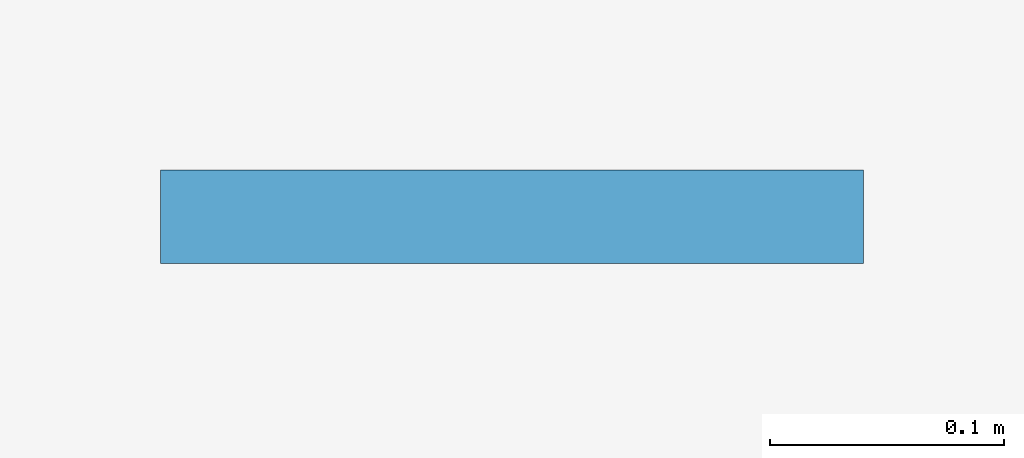
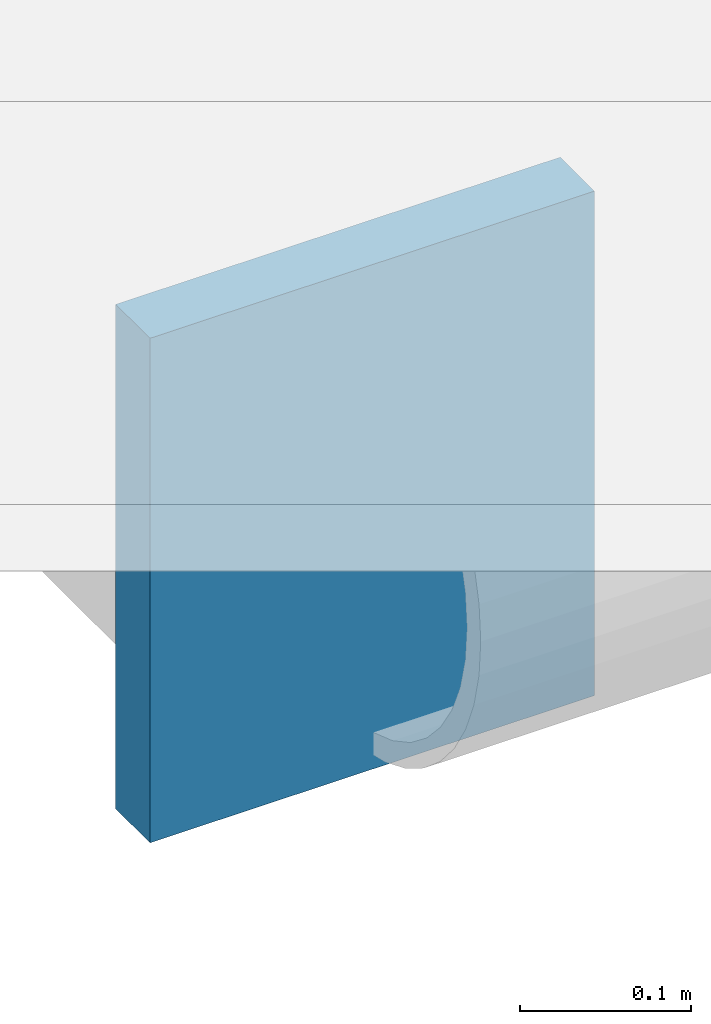
# One storey, part 19 of 28: 1 plate.
"""IFC4 building model written with IfcOpenShell, lengths in metres."""

import ifcopenshell
import ifcopenshell.guid

model = None  # the IFC model being written
_history = None  # IfcOwnerHistory: only IFC2X3 demands one
_inside = {}  # id of a spatial element -> (the spatial element, [elements in it])
_under = {}  # id of a project, library or spatial element -> (it, [spatial elements below it])
_declared = {}  # id of a project -> (the project, [libraries it declares])
_typed = {}  # id of a type object -> (the type object, [elements of that type])
_made_of = {}  # id of a material, layer set ... -> (it, [elements and type objects made of it])


def new_model(schema):
    """Start an empty IFC model of exactly this schema.

    Asked for "IFC4X3", IfcOpenShell would pick the latest addendum, in which some entities
    have other attributes; the version numbers below select the first issue.
    IFC2X3 requires an IfcOwnerHistory on every rooted entity: one is made here for all.
    """
    global model, _history
    if schema == "IFC4X3":
        model = ifcopenshell.file(schema_version=(4, 3, 0, 0))
    else:
        model = ifcopenshell.file(schema=schema)
    _inside.clear()
    _under.clear()
    _declared.clear()
    _typed.clear()
    _made_of.clear()
    _history = None
    if model.schema == "IFC2X3":
        org = make("IfcOrganization", Name="unknown")
        user = make(
            "IfcPersonAndOrganization",
            ThePerson=make("IfcPerson", FamilyName="unknown"),
            TheOrganization=org,
        )
        app = make(
            "IfcApplication",
            ApplicationDeveloper=org,
            Version="unknown",
            ApplicationFullName="unknown",
            ApplicationIdentifier="unknown",
        )
        _history = make(
            "IfcOwnerHistory",
            OwningUser=user,
            OwningApplication=app,
            ChangeAction="ADDED",
            CreationDate=0,
        )
    return model


def make(cls, **values):
    """One entity of the class cls with the attributes given. An attribute that is None is left unset."""
    return model.create_entity(
        cls, **{name: value for name, value in values.items() if value is not None}
    )


def rooted(cls, **values):
    """An entity with a GlobalId (a new one), such as an element, a storey or a relation."""
    return make(cls, GlobalId=ifcopenshell.guid.new(), OwnerHistory=_history, **values)


def si_unit(unit_type, name, prefix=None):
    """IfcSIUnit, for example si_unit("LENGTHUNIT", "METRE", prefix="MILLI")."""
    return make("IfcSIUnit", UnitType=unit_type, Prefix=prefix, Name=name)


def assignment(units):
    """IfcUnitAssignment: the units of a project."""
    return None if units is None else make("IfcUnitAssignment", Units=units)


def point(xyz):
    """IfcCartesianPoint."""
    return None if xyz is None else make("IfcCartesianPoint", Coordinates=xyz)


def direction(xyz):
    """IfcDirection."""
    return None if xyz is None else make("IfcDirection", DirectionRatios=xyz)


def frame(location, z_axis=None, x_axis=None):
    """IfcAxis2Placement3D, a coordinate frame: its origin and axes. An axis left out is left unset."""
    return make(
        "IfcAxis2Placement3D",
        Location=point(location),
        Axis=direction(z_axis),
        RefDirection=direction(x_axis),
    )


def frame_2d(location, x_axis=None):
    """IfcAxis2Placement2D, a coordinate frame in the plane: its origin and x axis."""
    return make(
        "IfcAxis2Placement2D", Location=point(location), RefDirection=direction(x_axis)
    )


def origin():
    """The frame at (0, 0, 0) with its axes left unset."""
    return frame((0.0, 0.0, 0.0))


def origin_2d():
    """The frame at (0, 0) in the plane with its x axis left unset."""
    return frame_2d((0.0, 0.0))


def place(relative_to, where):
    """IfcLocalPlacement: puts the frame where relative to a parent placement (None: the world)."""
    return make(
        "IfcLocalPlacement", PlacementRelTo=relative_to, RelativePlacement=where
    )


def context(
    kind, dimensions, precision=None, world=None, true_north=None, identifier=None
):
    """IfcGeometricRepresentationContext, for example the 3D "Model" context."""
    return make(
        "IfcGeometricRepresentationContext",
        ContextIdentifier=identifier,
        ContextType=kind,
        CoordinateSpaceDimension=dimensions,
        Precision=precision,
        WorldCoordinateSystem=world,
        TrueNorth=true_north,
    )


def subcontext(parent, identifier, kind, view, scale=None):
    """IfcGeometricRepresentationSubContext, for example "Body" below "Model"."""
    return make(
        "IfcGeometricRepresentationSubContext",
        ContextIdentifier=identifier,
        ContextType=kind,
        ParentContext=parent,
        TargetScale=scale,
        TargetView=view,
    )


def project(units=None, contexts=None):
    """IfcProject with its units and contexts."""
    return rooted(
        "IfcProject",
        Name="project",
        RepresentationContexts=contexts,
        UnitsInContext=assignment(units),
    )


def spatial(cls, under=None, at=None, **own):
    """A site, building, storey or space (cls), placed at a placement, below another one or the project."""
    s = rooted(cls, ObjectPlacement=at, **own)
    if under is not None:
        _under.setdefault(under.id(), (under, []))[1].append(s)
    return s


def profile(cls, at=None, kind="AREA", **sizes):
    """A parametric profile (cls). Its sizes go by their IFC names, for example OverallWidth=200.0."""
    return make(cls, ProfileType=kind, Position=at, **sizes)


def rectangle(**sizes):
    """IfcRectangleProfileDef."""
    return profile("IfcRectangleProfileDef", **sizes)


def extrude(swept, where, along, depth):
    """IfcExtrudedAreaSolid: the profile swept, set in the frame where, extruded along a direction by depth."""
    return make(
        "IfcExtrudedAreaSolid",
        SweptArea=swept,
        Position=where,
        ExtrudedDirection=direction(along),
        Depth=depth,
    )


def shape(context_of_items, identifier, shape_type, items):
    """IfcShapeRepresentation: the items that make up one representation, for example the "Body"."""
    return make(
        "IfcShapeRepresentation",
        ContextOfItems=context_of_items,
        RepresentationIdentifier=identifier,
        RepresentationType=shape_type,
        Items=items,
    )


def material(Name=None, Category=None):
    """IfcMaterial."""
    return make("IfcMaterial", Name=Name, Category=Category)


def layer(
    of_material, thickness, ventilated=None, Name=None, Category=None, Priority=None
):
    """IfcMaterialLayer: one layer of a wall or slab, of a material (None: an air gap)."""
    return make(
        "IfcMaterialLayer",
        Material=of_material,
        LayerThickness=thickness,
        IsVentilated=ventilated,
        Name=Name,
        Category=Category,
        Priority=Priority,
    )


def layer_set(layers, Name=None):
    """IfcMaterialLayerSet."""
    return make("IfcMaterialLayerSet", MaterialLayers=layers, LayerSetName=Name)


def made_of(thing, what):
    """Note that an element or type object is made of a material, layer set ...; save() writes the relation."""
    if what is not None:
        _made_of.setdefault(what.id(), (what, []))[1].append(thing)
    return thing


def type_object(cls, material=None, **own):
    """A type object (cls), such as IfcWallType, which elements share."""
    return made_of(rooted(cls, **own), material)


def element(
    cls,
    number,
    at=None,
    inside=None,
    cuts=None,
    type_object=None,
    material=None,
    context=None,
    identifier="Body",
    shape_type=None,
    held_by="IfcProductDefinitionShape",
    body=None,
    shapes=None,
    **own,
):
    """One element of the class cls, such as IfcWall. Its Tag is "e" and its number.

    at: its placement. inside: the storey or other place that contains it. cuts: it is an
    opening in that element (IfcRelVoidsElement). A single representation is given by context,
    identifier, shape_type and body (its items); several are given by shapes. held_by: the class
    of the entity that holds the representations. save() writes the other relations.
    """
    e = rooted(cls, Tag="e%d" % number, ObjectPlacement=at, **own)
    if body is not None:
        shapes = [shape(context, identifier, shape_type, body)]
    if shapes is not None:
        e.Representation = make(held_by, Representations=shapes)
    if inside is not None:
        _inside.setdefault(inside.id(), (inside, []))[1].append(e)
    if cuts is not None:
        rooted(
            "IfcRelVoidsElement", RelatingBuildingElement=cuts, RelatedOpeningElement=e
        )
    if type_object is not None:
        _typed.setdefault(type_object.id(), (type_object, []))[1].append(e)
    return made_of(e, material)


def aggregate(whole, parts):
    """IfcRelAggregates: a whole, such as a stair, and the parts it consists of."""
    return rooted("IfcRelAggregates", RelatingObject=whole, RelatedObjects=parts)


def save(model, path):
    """Write the relations noted so far, then the file.

    IfcRelAggregates (storeys below a building ...), IfcRelContainedInSpatialStructure (elements
    in a storey), IfcRelDefinesByType, IfcRelAssociatesMaterial and IfcRelDeclares: one each for
    every whole, place, type object, material and project.
    """
    for whole, parts in _under.values():
        aggregate(whole, parts)
    for where, things in _inside.values():
        rooted(
            "IfcRelContainedInSpatialStructure",
            RelatedElements=things,
            RelatingStructure=where,
        )
    for kind, things in _typed.values():
        rooted("IfcRelDefinesByType", RelatedObjects=things, RelatingType=kind)
    for what, things in _made_of.values():
        rooted("IfcRelAssociatesMaterial", RelatedObjects=things, RelatingMaterial=what)
    for by, libraries in _declared.values():
        rooted("IfcRelDeclares", RelatingContext=by, RelatedDefinitions=libraries)
    model.write(path)


model = new_model("IFC4")

# Units and contexts
model_context = context("Model", 3, precision=1e-05, world=origin(), true_north=direction((0.0, 1.0)))
body_context = subcontext(model_context, "Body", "Model", "MODEL_VIEW")
ifc_project = project(units=[si_unit("LENGTHUNIT", "METRE"), si_unit("AREAUNIT", "SQUARE_METRE"), si_unit("VOLUMEUNIT", "CUBIC_METRE"), si_unit("PLANEANGLEUNIT", "RADIAN"), si_unit("MASSUNIT", "GRAM", prefix="KILO"), si_unit("THERMODYNAMICTEMPERATUREUNIT", "KELVIN"), si_unit("POWERUNIT", "WATT")], contexts=[model_context])

# Site, building, storey
site_placement = place(None, origin())
site = spatial("IfcSite", under=ifc_project, at=site_placement, CompositionType="ELEMENT")
building_placement = place(site_placement, origin())
building = spatial("IfcBuilding", under=site, at=building_placement, Name="Svarakhadi Broadcast Tower", CompositionType="ELEMENT")
storey_placement = place(building_placement, frame((0.0, 0.0, 149.39990234375)))
storey = spatial("IfcBuildingStorey", under=building, at=storey_placement, Name="L36", CompositionType="ELEMENT", Elevation=149.39990234375)

# Plate
ifc_material = material(Name="Steel S460ML (IS 2062 E450BR)", Category="steel")
ifc_layer = layer(ifc_material, 0.028076171875)
ifc_layer_set = layer_set([ifc_layer], Name="Steel S460ML (IS 2062 E450BR)")
plate_type = type_object("IfcPlateType", Name="Cap_Plate_CP02", PredefinedType="USERDEFINED", material=ifc_layer_set)
plate_placement = place(storey_placement, frame((-1.800048828125, 29.135009765625, -0.55517578125), z_axis=(0.0, 0.0, 1.0), x_axis=(1.0, 0.0, 0.0)))
element("IfcPlate", 1, at=plate_placement, inside=storey, type_object=plate_type, Name="L36 Balcony Spandrel End Cap Plate 2F-A", ObjectType="FLANGE_PLATE", PredefinedType="USERDEFINED", context=body_context, shape_type="SweptSolid", body=[
    extrude(rectangle(XDim=0.300048828125, YDim=0.0400390625, at=origin_2d()), origin(), (0.0, 0.0, 1.0), 0.360107421875),
])

save(model, "model.ifc")
